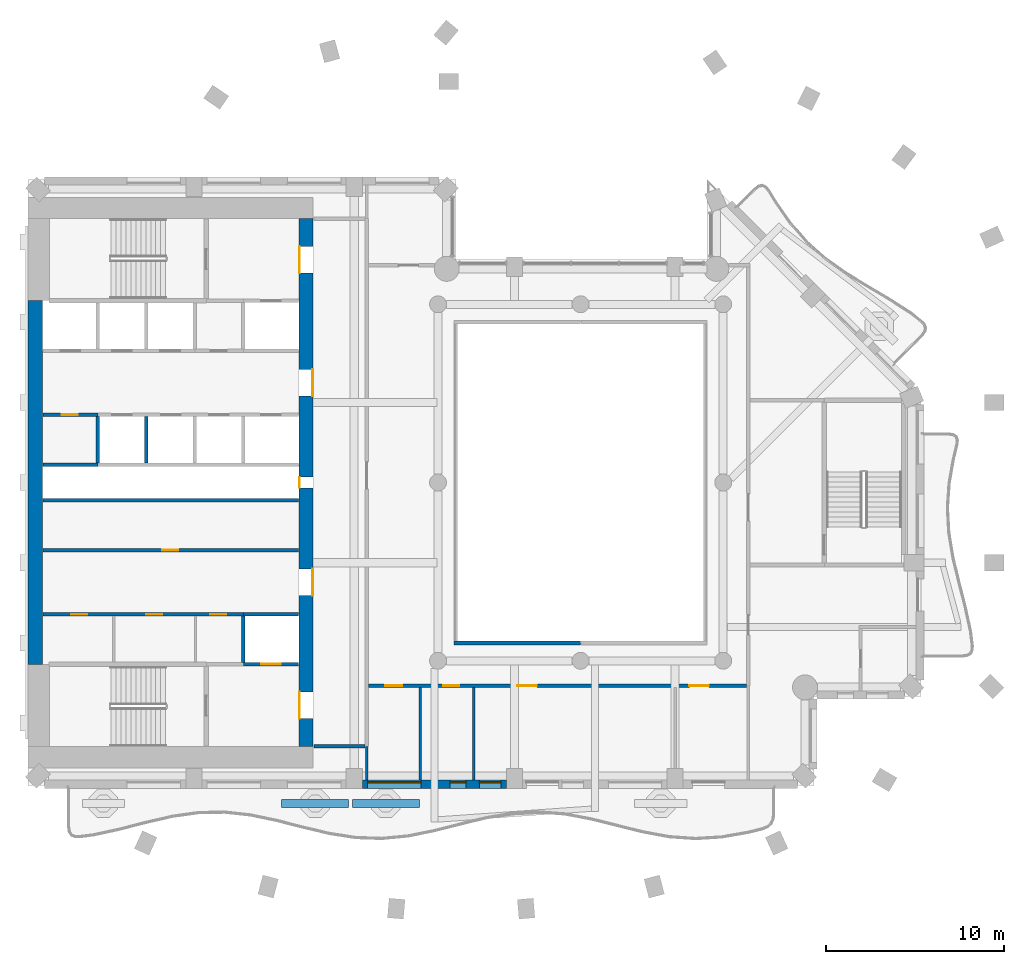
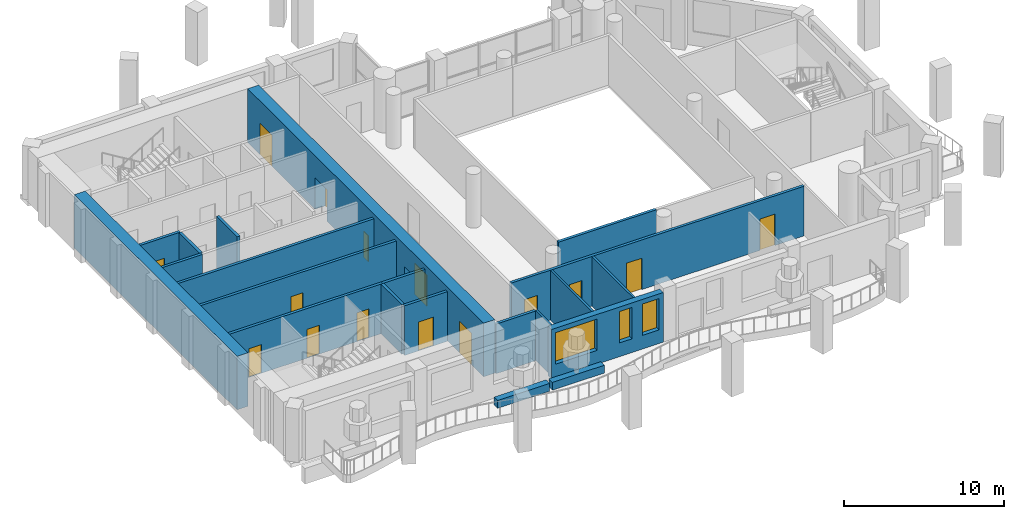
# One storey, part 4 of 14: 21 walls, 15 doors, 3 windows, 18 openings.
"""IFC4 building model written with IfcOpenShell, lengths in metres."""

from ifc_helpers import new_model, si_unit, direction, frame, frame_2d, origin, place, context, subcontext, project, spatial, rectangle, extrude, material, layer, layer_set, type_object, element, fill, save


model = new_model("IFC4")

# Units and contexts
model_context = context("Model", 3, precision=1e-05, world=origin(), true_north=direction((0.0, 1.0)))
body_context = subcontext(model_context, "Body", "Model", "MODEL_VIEW")
ifc_project = project(units=[si_unit("LENGTHUNIT", "METRE"), si_unit("AREAUNIT", "SQUARE_METRE"), si_unit("VOLUMEUNIT", "CUBIC_METRE"), si_unit("PLANEANGLEUNIT", "RADIAN"), si_unit("MASSUNIT", "GRAM", prefix="KILO")], contexts=[model_context])

# Site, building, storey
site_placement = place(None, origin())
site = spatial("IfcSite", under=ifc_project, at=site_placement, CompositionType="ELEMENT")
building_placement = place(site_placement, origin())
building = spatial("IfcBuilding", under=site, at=building_placement, Name="Cypress Arch Tower", CompositionType="ELEMENT")
storey_placement = place(building_placement, frame((0.0, 0.0, 222.0)))
storey = spatial("IfcBuildingStorey", under=building, at=storey_placement, Name="L49", CompositionType="ELEMENT", Elevation=222.0)

# Walls
ifc_material_1 = material(Name="Concrete C40/50, waterproofed", Category="concrete")
ifc_layer_1 = layer(ifc_material_1, 0.449951171875)
ifc_layer_set_1 = layer_set([ifc_layer_1], Name="Balcony planter wall PW450")
wall_type_1 = type_object("IfcWallType", Name="Balcony planter wall PW450", PredefinedType="SOLIDWALL", material=ifc_layer_set_1)
for number, where, z_axis, x_axis, name in (
    (1, (-15.77001953125, -18.0, 0.0), (0.0, 0.0, 1.0), (1.0, 0.0, 0.0), "Balcony planter wall L49-B01.2"),
    (2, (-11.81005859375, -18.0, 0.0), (0.0, 0.0, 1.0), (1.0, 0.0, 0.0), "Balcony planter wall L49-B01.3"),
):
    element("IfcWall", number, at=place(storey_placement, frame(where, z_axis=z_axis, x_axis=x_axis)), inside=storey, type_object=wall_type_1, Name=name, PredefinedType="SOLIDWALL", context=body_context, shape_type="SweptSolid", body=[
        extrude(rectangle(XDim=3.760009765625, YDim=0.449951171875, at=frame_2d((1.8798828125, 0.0))), origin(), (0.0, 0.0, 1.0), 0.60009765625),
    ])

# Wall, openings, windows
ifc_material_2 = material(Name="Brick (red buff blend)", Category="masonry")
ifc_layer_2 = layer(ifc_material_2, 0.449951171875)
ifc_layer_set_2 = layer_set([ifc_layer_2], Name="Brick pier and spandrel wall BW450")
wall_type_2 = type_object("IfcWallType", Name="Brick pier and spandrel wall BW450", PredefinedType="SOLIDWALL", material=ifc_layer_set_2)
wall_1_placement = place(storey_placement, frame((-11.25, -16.925048828125, 0.0), z_axis=(0.0, 0.0, 1.0), x_axis=(1.0, 0.0, 0.0)))
wall_1 = element("IfcWall", 3, at=wall_1_placement, inside=storey, type_object=wall_type_2, Name="Brick wall L49 B01.2", PredefinedType="SOLIDWALL", context=body_context, shape_type="SweptSolid", body=[
    extrude(rectangle(XDim=8.10009765625, YDim=0.449951171875, at=frame_2d((4.050048828125, 0.0))), origin(), (0.0, 0.0, 1.0), 3.800048828125),
])
opening_1_placement = place(wall_1_placement, frame((0.300048828125, 0.0, 1.050048828125)))
opening_1 = element("IfcOpeningElement", 4, at=opening_1_placement, cuts=wall_1, Name="Opening W300OD", PredefinedType="OPENING", context=body_context, shape_type="SweptSolid", body=[
    extrude(rectangle(XDim=3.0, YDim=2.39990234375, at=frame_2d((1.5, 1.199951171875))), frame((0.0, 0.23486328125, 0.0), z_axis=(0.0, -1.0, 0.0), x_axis=(1.0, 0.0, 0.0)), (0.0, 0.0, 1.0), 0.469970703125),
])
opening_2_placement = place(wall_1_placement, frame((4.925048828125, 0.0, 1.050048828125)))
opening_2 = element("IfcOpeningElement", 5, at=opening_2_placement, cuts=wall_1, Name="Opening W090OD", PredefinedType="OPENING", context=body_context, shape_type="SweptSolid", body=[
    extrude(rectangle(XDim=0.89990234375, YDim=2.39990234375, at=frame_2d((0.449951171875, 1.199951171875))), frame((0.0, 0.23486328125, 0.0), z_axis=(0.0, -1.0, 0.0), x_axis=(1.0, 0.0, 0.0)), (0.0, 0.0, 1.0), 0.469970703125),
])
opening_3_placement = place(wall_1_placement, frame((6.574951171875, 0.0, 1.050048828125)))
opening_3 = element("IfcOpeningElement", 6, at=opening_3_placement, cuts=wall_1, Name="Opening W120OD", PredefinedType="OPENING", context=body_context, shape_type="SweptSolid", body=[
    extrude(rectangle(XDim=1.199951171875, YDim=2.39990234375, at=frame_2d((0.60009765625, 1.199951171875))), frame((0.0, 0.23486328125, 0.0), z_axis=(0.0, -1.0, 0.0), x_axis=(1.0, 0.0, 0.0)), (0.0, 0.0, 1.0), 0.469970703125),
])
ifc_material_3 = material(Name="Anodised aluminium, bronze finish, laminated low-emissivity double glazing, large-missile impact rated", Category="aluminium")
window_type_1 = type_object("IfcWindowType", Name="Window Office 1200x2400 debris-rated", PartitioningType="SINGLE_PANEL", PredefinedType="WINDOW", material=ifc_material_3)
window_1_placement = place(opening_3_placement, origin())
window_1 = element("IfcWindow", 7, at=window_1_placement, inside=storey, type_object=window_type_1, Name="Window L49 B01.2.2b", OverallHeight=2.39990234375, OverallWidth=1.199951171875, PartitioningType="SINGLE_PANEL", PredefinedType="WINDOW", context=body_context, shape_type="SweptSolid", body=[
    extrude(rectangle(XDim=1.199951171875, YDim=2.39990234375, at=frame_2d((0.60009765625, 1.199951171875))), frame((0.0, 0.135009765625, 0.0), z_axis=(0.0, -1.0, 0.0), x_axis=(1.0, 0.0, 0.0)), (0.0, 0.0, 1.0), 0.06005859375),
])
fill(opening_3, window_1)
ifc_material_4 = material(Name="Anodised aluminium, bronze finish, laminated low-emissivity double glazing, large-missile impact rated", Category="aluminium")
window_type_2 = type_object("IfcWindowType", Name="Window Office 3000x2400 debris-rated", PartitioningType="SINGLE_PANEL", PredefinedType="WINDOW", material=ifc_material_4)
window_2_placement = place(opening_1_placement, origin())
window_2 = element("IfcWindow", 8, at=window_2_placement, inside=storey, type_object=window_type_2, Name="Window L49 B01.2.1", OverallHeight=2.39990234375, OverallWidth=3.0, PartitioningType="SINGLE_PANEL", PredefinedType="WINDOW", context=body_context, shape_type="SweptSolid", body=[
    extrude(rectangle(XDim=3.0, YDim=2.39990234375, at=frame_2d((1.5, 1.199951171875))), frame((0.0, 0.135009765625, 0.0), z_axis=(0.0, -1.0, 0.0), x_axis=(1.0, 0.0, 0.0)), (0.0, 0.0, 1.0), 0.06005859375),
])
fill(opening_1, window_2)
ifc_material_5 = material(Name="Anodised aluminium, bronze finish, laminated low-emissivity double glazing, large-missile impact rated", Category="aluminium")
window_type_3 = type_object("IfcWindowType", Name="Window Office 900x2400 debris-rated", PartitioningType="SINGLE_PANEL", PredefinedType="WINDOW", material=ifc_material_5)
window_3_placement = place(opening_2_placement, origin())
window_3 = element("IfcWindow", 9, at=window_3_placement, inside=storey, type_object=window_type_3, Name="Window L49 B01.2.2", OverallHeight=2.39990234375, OverallWidth=0.89990234375, PartitioningType="SINGLE_PANEL", PredefinedType="WINDOW", context=body_context, shape_type="SweptSolid", body=[
    extrude(rectangle(XDim=0.89990234375, YDim=2.39990234375, at=frame_2d((0.449951171875, 1.199951171875))), frame((0.0, 0.135009765625, 0.0), z_axis=(0.0, -1.0, 0.0), x_axis=(1.0, 0.0, 0.0)), (0.0, 0.0, 1.0), 0.06005859375),
])
fill(opening_2, window_3)

# Wall, openings, doors
ifc_material_6 = material(Name="Concrete C70/85", Category="concrete")
ifc_layer_3 = layer(ifc_material_6, 0.800048828125)
ifc_layer_set_3 = layer_set([ifc_layer_3], Name="Core wall CW800 C70/85")
wall_type_3 = type_object("IfcWallType", Name="Core wall CW800 C70/85", PredefinedType="SHEAR", material=ifc_layer_set_3)
wall_2_placement = place(storey_placement, frame((-14.39990234375, -14.800048828125, 0.0), z_axis=(0.0, 0.0, 1.0), x_axis=(0.0, 1.0, 0.0)))
wall_2 = element("IfcWall", 10, at=wall_2_placement, inside=storey, type_object=wall_type_3, Name="Core wall", PredefinedType="SHEAR", context=body_context, shape_type="SweptSolid", body=[
    extrude(rectangle(XDim=29.60009765625, YDim=0.800048828125, at=frame_2d((14.800048828125, 0.0))), origin(), (0.0, 0.0, 1.0), 4.10009765625),
])
opening_4_placement = place(wall_2_placement, frame((1.550048828125, 0.0, 0.0)))
opening_4 = element("IfcOpeningElement", 11, at=opening_4_placement, cuts=wall_2, Name="Opening D07", PredefinedType="OPENING", context=body_context, shape_type="SweptSolid", body=[
    extrude(rectangle(XDim=1.5, YDim=2.39990234375, at=frame_2d((0.75, 1.199951171875))), frame((0.0, 0.409912109375, 0.0), z_axis=(0.0, -1.0, 0.0), x_axis=(1.0, 0.0, 0.0)), (0.0, 0.0, 1.0), 0.820068359375),
])
opening_5_placement = place(wall_2_placement, frame((26.550048828125, 0.0, 0.0)))
opening_5 = element("IfcOpeningElement", 12, at=opening_5_placement, cuts=wall_2, Name="Opening D07", PredefinedType="OPENING", context=body_context, shape_type="SweptSolid", body=[
    extrude(rectangle(XDim=1.5, YDim=2.39990234375, at=frame_2d((0.75, 1.199951171875))), frame((0.0, 0.409912109375, 0.0), z_axis=(0.0, -1.0, 0.0), x_axis=(1.0, 0.0, 0.0)), (0.0, 0.0, 1.0), 0.820068359375),
])
opening_6_placement = place(wall_2_placement, frame((8.449951171875, 0.0, 0.0)))
opening_6 = element("IfcOpeningElement", 13, at=opening_6_placement, cuts=wall_2, Name="Opening D07", PredefinedType="OPENING", context=body_context, shape_type="SweptSolid", body=[
    extrude(rectangle(XDim=1.5, YDim=2.39990234375, at=frame_2d((0.75, 1.199951171875))), frame((0.0, 0.409912109375, 0.0), z_axis=(0.0, -1.0, 0.0), x_axis=(1.0, 0.0, 0.0)), (0.0, 0.0, 1.0), 0.820068359375),
])
opening_7_placement = place(wall_2_placement, frame((19.64990234375, 0.0, 0.0)))
opening_7 = element("IfcOpeningElement", 14, at=opening_7_placement, cuts=wall_2, Name="Opening D07", PredefinedType="OPENING", context=body_context, shape_type="SweptSolid", body=[
    extrude(rectangle(XDim=1.5, YDim=2.39990234375, at=frame_2d((0.75, 1.199951171875))), frame((0.0, 0.409912109375, 0.0), z_axis=(0.0, -1.0, 0.0), x_axis=(1.0, 0.0, 0.0)), (0.0, 0.0, 1.0), 0.820068359375),
])
opening_8_placement = place(wall_2_placement, frame((14.5, 0.0, 0.0)))
opening_8 = element("IfcOpeningElement", 15, at=opening_8_placement, cuts=wall_2, Name="Opening D08", PredefinedType="OPENING", context=body_context, shape_type="SweptSolid", body=[
    extrude(rectangle(XDim=0.60009765625, YDim=2.0, at=frame_2d((0.300048828125, 1.0))), frame((0.0, 0.409912109375, 0.0), z_axis=(0.0, -1.0, 0.0), x_axis=(1.0, 0.0, 0.0)), (0.0, 0.0, 1.0), 0.820068359375),
])
ifc_material_7 = material(Name="Steel framed glazed door, fire resisting", Category="steel")
door_type_1 = type_object("IfcDoorType", Name="Lobby door D07 1500x2400", OperationType="DOUBLE_DOOR_SINGLE_SWING", PredefinedType="DOOR", material=ifc_material_7)
door_1_placement = place(opening_4_placement, origin())
door_1 = element("IfcDoor", 16, at=door_1_placement, inside=storey, type_object=door_type_1, Name="Lobby door", OperationType="DOUBLE_DOOR_SINGLE_SWING", OverallHeight=2.39990234375, OverallWidth=1.5, PredefinedType="DOOR", context=body_context, shape_type="SweptSolid", body=[
    extrude(rectangle(XDim=1.5, YDim=2.39990234375, at=frame_2d((0.75, 1.199951171875))), frame((0.0, 0.39501953125, 0.0), z_axis=(0.0, -1.0, 0.0), x_axis=(1.0, 0.0, 0.0)), (0.0, 0.0, 1.0), 0.050048828125),
])
fill(opening_4, door_1)
door_2_placement = place(opening_5_placement, origin())
door_2 = element("IfcDoor", 17, at=door_2_placement, inside=storey, type_object=door_type_1, Name="Lobby door", OperationType="DOUBLE_DOOR_SINGLE_SWING", OverallHeight=2.39990234375, OverallWidth=1.5, PredefinedType="DOOR", context=body_context, shape_type="SweptSolid", body=[
    extrude(rectangle(XDim=1.5, YDim=2.39990234375, at=frame_2d((0.75, 1.199951171875))), frame((0.0, 0.39501953125, 0.0), z_axis=(0.0, -1.0, 0.0), x_axis=(1.0, 0.0, 0.0)), (0.0, 0.0, 1.0), 0.050048828125),
])
fill(opening_5, door_2)
door_3_placement = place(opening_6_placement, origin())
door_3 = element("IfcDoor", 18, at=door_3_placement, inside=storey, type_object=door_type_1, Name="Lobby door", OperationType="DOUBLE_DOOR_SINGLE_SWING", OverallHeight=2.39990234375, OverallWidth=1.5, PredefinedType="DOOR", context=body_context, shape_type="SweptSolid", body=[
    extrude(rectangle(XDim=1.5, YDim=2.39990234375, at=frame_2d((0.75, 1.199951171875))), frame((0.0, -0.34521484375, 0.0), z_axis=(0.0, -1.0, 0.0), x_axis=(1.0, 0.0, 0.0)), (0.0, 0.0, 1.0), 0.050048828125),
])
fill(opening_6, door_3)
door_4_placement = place(opening_7_placement, origin())
door_4 = element("IfcDoor", 19, at=door_4_placement, inside=storey, type_object=door_type_1, Name="Lobby door", OperationType="DOUBLE_DOOR_SINGLE_SWING", OverallHeight=2.39990234375, OverallWidth=1.5, PredefinedType="DOOR", context=body_context, shape_type="SweptSolid", body=[
    extrude(rectangle(XDim=1.5, YDim=2.39990234375, at=frame_2d((0.75, 1.199951171875))), frame((0.0, -0.34521484375, 0.0), z_axis=(0.0, -1.0, 0.0), x_axis=(1.0, 0.0, 0.0)), (0.0, 0.0, 1.0), 0.050048828125),
])
fill(opening_7, door_4)
ifc_material_8 = material(Name="Steel access door, fire resisting", Category="steel")
door_type_2 = type_object("IfcDoorType", Name="Riser access door D08 600x2000", OperationType="SINGLE_SWING_LEFT", PredefinedType="DOOR", material=ifc_material_8)
door_5_placement = place(opening_8_placement, origin())
door_5 = element("IfcDoor", 20, at=door_5_placement, inside=storey, type_object=door_type_2, Name="Riser access door", OperationType="SINGLE_SWING_RIGHT", OverallHeight=2.0, OverallWidth=0.60009765625, PredefinedType="DOOR", context=body_context, shape_type="SweptSolid", body=[
    extrude(rectangle(XDim=0.60009765625, YDim=2.0, at=frame_2d((0.300048828125, 1.0))), frame((0.0, 0.39501953125, 0.0), z_axis=(0.0, -1.0, 0.0), x_axis=(1.0, 0.0, 0.0)), (0.0, 0.0, 1.0), 0.050048828125),
])
fill(opening_8, door_5)

# Wall
wall_3_placement = place(storey_placement, frame((-29.60009765625, -10.199951171875, 0.0), z_axis=(0.0, 0.0, 1.0), x_axis=(0.0, 1.0, 0.0)))
element("IfcWall", 21, at=wall_3_placement, inside=storey, type_object=wall_type_3, Name="Core wall", PredefinedType="SHEAR", context=body_context, shape_type="SweptSolid", body=[
    extrude(rectangle(XDim=20.39990234375, YDim=0.800048828125, at=frame_2d((10.199951171875, 0.0))), origin(), (0.0, 0.0, 1.0), 4.10009765625),
])

# Wall, openings, doors
ifc_material_9 = material(Name="Concrete blockwork, plastered, rated", Category="masonry")
ifc_layer_4 = layer(ifc_material_9, 0.199951171875)
ifc_layer_set_4 = layer_set([ifc_layer_4], Name="Corridor wall FW200")
wall_type_4 = type_object("IfcWallType", Name="Corridor wall FW200", PredefinedType="PARTITIONING", material=ifc_layer_set_4)
wall_4_placement = place(storey_placement, frame((-29.169921875, -7.39990234375, 0.0), z_axis=(0.0, 0.0, 1.0), x_axis=(1.0, 0.0, 0.0)))
wall_4 = element("IfcWall", 22, at=wall_4_placement, inside=storey, type_object=wall_type_4, Name="Corridor wall", PredefinedType="PARTITIONING", context=body_context, shape_type="SweptSolid", body=[
    extrude(rectangle(XDim=11.27001953125, YDim=0.199951171875, at=frame_2d((5.635009765625, 0.0))), origin(), (0.0, 0.0, 1.0), 3.800048828125),
])
opening_9_placement = place(wall_4_placement, frame((1.60009765625, 0.0, 0.0)))
opening_9 = element("IfcOpeningElement", 23, at=opening_9_placement, cuts=wall_4, Name="Opening D05", PredefinedType="OPENING", context=body_context, shape_type="SweptSolid", body=[
    extrude(rectangle(XDim=0.89990234375, YDim=2.199951171875, at=frame_2d((0.449951171875, 1.10009765625))), frame((0.0, 0.10986328125, 0.0), z_axis=(0.0, -1.0, 0.0), x_axis=(1.0, 0.0, 0.0)), (0.0, 0.0, 1.0), 0.219970703125),
])
opening_10_placement = place(wall_4_placement, frame((5.800048828125, 0.0, 0.0)))
opening_10 = element("IfcOpeningElement", 24, at=opening_10_placement, cuts=wall_4, Name="Opening D05", PredefinedType="OPENING", context=body_context, shape_type="SweptSolid", body=[
    extrude(rectangle(XDim=0.89990234375, YDim=2.199951171875, at=frame_2d((0.449951171875, 1.10009765625))), frame((0.0, 0.10986328125, 0.0), z_axis=(0.0, -1.0, 0.0), x_axis=(1.0, 0.0, 0.0)), (0.0, 0.0, 1.0), 0.219970703125),
])
opening_11_placement = place(wall_4_placement, frame((9.39990234375, 0.0, 0.0)))
opening_11 = element("IfcOpeningElement", 25, at=opening_11_placement, cuts=wall_4, Name="Opening D05", PredefinedType="OPENING", context=body_context, shape_type="SweptSolid", body=[
    extrude(rectangle(XDim=0.89990234375, YDim=2.199951171875, at=frame_2d((0.449951171875, 1.10009765625))), frame((0.0, 0.10986328125, 0.0), z_axis=(0.0, -1.0, 0.0), x_axis=(1.0, 0.0, 0.0)), (0.0, 0.0, 1.0), 0.219970703125),
])
ifc_material_10 = material(Name="Timber flush door", Category="wood")
door_type_3 = type_object("IfcDoorType", Name="Service door D05 900x2200", OperationType="SINGLE_SWING_LEFT", PredefinedType="DOOR", material=ifc_material_10)
door_6_placement = place(opening_9_placement, origin())
door_6 = element("IfcDoor", 26, at=door_6_placement, inside=storey, type_object=door_type_3, Name="Service door", OperationType="SINGLE_SWING_LEFT", OverallHeight=2.199951171875, OverallWidth=0.89990234375, PredefinedType="DOOR", context=body_context, shape_type="SweptSolid", body=[
    extrude(rectangle(XDim=0.89990234375, YDim=2.199951171875, at=frame_2d((0.449951171875, 1.10009765625))), frame((0.0, 0.02490234375, 0.0), z_axis=(0.0, -1.0, 0.0), x_axis=(1.0, 0.0, 0.0)), (0.0, 0.0, 1.0), 0.050048828125),
])
fill(opening_9, door_6)
door_7_placement = place(opening_10_placement, origin())
door_7 = element("IfcDoor", 27, at=door_7_placement, inside=storey, type_object=door_type_3, Name="Service door", OperationType="SINGLE_SWING_RIGHT", OverallHeight=2.199951171875, OverallWidth=0.89990234375, PredefinedType="DOOR", context=body_context, shape_type="SweptSolid", body=[
    extrude(rectangle(XDim=0.89990234375, YDim=2.199951171875, at=frame_2d((0.449951171875, 1.10009765625))), frame((0.0, 0.02490234375, 0.0), z_axis=(0.0, -1.0, 0.0), x_axis=(1.0, 0.0, 0.0)), (0.0, 0.0, 1.0), 0.050048828125),
])
fill(opening_10, door_7)
door_8_placement = place(opening_11_placement, origin())
door_8 = element("IfcDoor", 28, at=door_8_placement, inside=storey, type_object=door_type_3, Name="Service door", OperationType="SINGLE_SWING_RIGHT", OverallHeight=2.199951171875, OverallWidth=0.89990234375, PredefinedType="DOOR", context=body_context, shape_type="SweptSolid", body=[
    extrude(rectangle(XDim=0.89990234375, YDim=2.199951171875, at=frame_2d((0.449951171875, 1.10009765625))), frame((0.0, 0.02490234375, 0.0), z_axis=(0.0, -1.0, 0.0), x_axis=(1.0, 0.0, 0.0)), (0.0, 0.0, 1.0), 0.050048828125),
])
fill(opening_11, door_8)

# Wall, opening, door
wall_5_placement = place(storey_placement, frame((-29.169921875, -3.800048828125, 0.0), z_axis=(0.0, 0.0, 1.0), x_axis=(1.0, 0.0, 0.0)))
wall_5 = element("IfcWall", 29, at=wall_5_placement, inside=storey, type_object=wall_type_4, Name="Corridor wall", PredefinedType="PARTITIONING", context=body_context, shape_type="SweptSolid", body=[
    extrude(rectangle(XDim=14.33984375, YDim=0.199951171875, at=frame_2d((7.169921875, 0.0))), origin(), (0.0, 0.0, 1.0), 3.800048828125),
])
opening_12_placement = place(wall_5_placement, frame((6.699951171875, 0.0, 0.0)))
opening_12 = element("IfcOpeningElement", 30, at=opening_12_placement, cuts=wall_5, Name="Opening D05", PredefinedType="OPENING", context=body_context, shape_type="SweptSolid", body=[
    extrude(rectangle(XDim=0.89990234375, YDim=2.199951171875, at=frame_2d((0.449951171875, 1.10009765625))), frame((0.0, 0.10986328125, 0.0), z_axis=(0.0, -1.0, 0.0), x_axis=(1.0, 0.0, 0.0)), (0.0, 0.0, 1.0), 0.219970703125),
])
door_9_placement = place(opening_12_placement, origin())
door_9 = element("IfcDoor", 31, at=door_9_placement, inside=storey, type_object=door_type_3, Name="Service door", OperationType="SINGLE_SWING_LEFT", OverallHeight=2.199951171875, OverallWidth=0.89990234375, PredefinedType="DOOR", context=body_context, shape_type="SweptSolid", body=[
    extrude(rectangle(XDim=0.89990234375, YDim=2.199951171875, at=frame_2d((0.449951171875, 1.10009765625))), frame((0.0, 0.02490234375, 0.0), z_axis=(0.0, -1.0, 0.0), x_axis=(1.0, 0.0, 0.0)), (0.0, 0.0, 1.0), 0.050048828125),
])
fill(opening_12, door_9)

wall_6_placement = place(storey_placement, frame((-29.169921875, 3.800048828125, 0.0), z_axis=(0.0, 0.0, 1.0), x_axis=(1.0, 0.0, 0.0)))
wall_6 = element("IfcWall", 32, at=wall_6_placement, inside=storey, type_object=wall_type_4, Name="Corridor wall", PredefinedType="PARTITIONING", context=body_context, shape_type="SweptSolid", body=[
    extrude(rectangle(XDim=3.08984375, YDim=0.199951171875, at=frame_2d((1.544921875, 0.0))), origin(), (0.0, 0.0, 1.0), 3.800048828125),
])
opening_13_placement = place(wall_6_placement, frame((1.050048828125, 0.0, 0.0)))
opening_13 = element("IfcOpeningElement", 33, at=opening_13_placement, cuts=wall_6, Name="Opening D05", PredefinedType="OPENING", context=body_context, shape_type="SweptSolid", body=[
    extrude(rectangle(XDim=0.89990234375, YDim=2.199951171875, at=frame_2d((0.449951171875, 1.10009765625))), frame((0.0, 0.10986328125, 0.0), z_axis=(0.0, -1.0, 0.0), x_axis=(1.0, 0.0, 0.0)), (0.0, 0.0, 1.0), 0.219970703125),
])
door_10_placement = place(opening_13_placement, origin())
door_10 = element("IfcDoor", 34, at=door_10_placement, inside=storey, type_object=door_type_3, Name="Service door", OperationType="SINGLE_SWING_LEFT", OverallHeight=2.199951171875, OverallWidth=0.89990234375, PredefinedType="DOOR", context=body_context, shape_type="SweptSolid", body=[
    extrude(rectangle(XDim=0.89990234375, YDim=2.199951171875, at=frame_2d((0.449951171875, 1.10009765625))), frame((0.0, 0.02490234375, 0.0), z_axis=(0.0, -1.0, 0.0), x_axis=(1.0, 0.0, 0.0)), (0.0, 0.0, 1.0), 0.050048828125),
])
fill(opening_13, door_10)

# Wall
wall_7_placement = place(storey_placement, frame((-13.969970703125, -14.800048828125, 0.0), z_axis=(0.0, 0.0, 1.0), x_axis=(1.0, 0.0, 0.0)))
element("IfcWall", 35, at=wall_7_placement, inside=storey, type_object=wall_type_4, Name="Corridor wall", PredefinedType="PARTITIONING", context=body_context, shape_type="SweptSolid", body=[
    extrude(rectangle(XDim=2.869873046875, YDim=0.199951171875, at=frame_2d((1.43505859375, 0.0))), origin(), (0.0, 0.0, 1.0), 3.800048828125),
])

# Wall, openings, doors
wall_8_placement = place(storey_placement, frame((-10.89990234375, -11.39990234375, 0.0), z_axis=(0.0, 0.0, 1.0), x_axis=(1.0, 0.0, 0.0)))
wall_8 = element("IfcWall", 36, at=wall_8_placement, inside=storey, type_object=wall_type_4, Name="Corridor wall", PredefinedType="PARTITIONING", context=body_context, shape_type="SweptSolid", body=[
    extrude(rectangle(XDim=21.199951171875, YDim=0.199951171875, at=frame_2d((10.60009765625, 0.0))), origin(), (0.0, 0.0, 1.0), 3.800048828125),
])
opening_14_placement = place(wall_8_placement, frame((0.949951171875, 0.0, 0.0)))
opening_14 = element("IfcOpeningElement", 37, at=opening_14_placement, cuts=wall_8, Name="Opening D02", PredefinedType="OPENING", context=body_context, shape_type="SweptSolid", body=[
    extrude(rectangle(XDim=0.949951171875, YDim=2.199951171875, at=frame_2d((0.47509765625, 1.10009765625))), frame((0.0, 0.10986328125, 0.0), z_axis=(0.0, -1.0, 0.0), x_axis=(1.0, 0.0, 0.0)), (0.0, 0.0, 1.0), 0.219970703125),
])
opening_15_placement = place(wall_8_placement, frame((4.199951171875, 0.0, 0.0)))
opening_15 = element("IfcOpeningElement", 38, at=opening_15_placement, cuts=wall_8, Name="Opening D05", PredefinedType="OPENING", context=body_context, shape_type="SweptSolid", body=[
    extrude(rectangle(XDim=0.89990234375, YDim=2.199951171875, at=frame_2d((0.449951171875, 1.10009765625))), frame((0.0, 0.10986328125, 0.0), z_axis=(0.0, -1.0, 0.0), x_axis=(1.0, 0.0, 0.0)), (0.0, 0.0, 1.0), 0.219970703125),
])
opening_16_placement = place(wall_8_placement, frame((8.35009765625, 0.0, 0.0)))
opening_16 = element("IfcOpeningElement", 39, at=opening_16_placement, cuts=wall_8, Name="Opening D01", PredefinedType="OPENING", context=body_context, shape_type="SweptSolid", body=[
    extrude(rectangle(XDim=1.10009765625, YDim=2.39990234375, at=frame_2d((0.550048828125, 1.199951171875))), frame((0.0, 0.10986328125, 0.0), z_axis=(0.0, -1.0, 0.0), x_axis=(1.0, 0.0, 0.0)), (0.0, 0.0, 1.0), 0.219970703125),
])
opening_17_placement = place(wall_8_placement, frame((18.0, 0.0, 0.0)))
opening_17 = element("IfcOpeningElement", 40, at=opening_17_placement, cuts=wall_8, Name="Opening D01", PredefinedType="OPENING", context=body_context, shape_type="SweptSolid", body=[
    extrude(rectangle(XDim=1.10009765625, YDim=2.39990234375, at=frame_2d((0.550048828125, 1.199951171875))), frame((0.0, 0.10986328125, 0.0), z_axis=(0.0, -1.0, 0.0), x_axis=(1.0, 0.0, 0.0)), (0.0, 0.0, 1.0), 0.219970703125),
])
ifc_material_11 = material(Name="Timber flush door, fire resisting", Category="wood")
door_type_4 = type_object("IfcDoorType", Name="Room door D02 950x2200", OperationType="SINGLE_SWING_LEFT", PredefinedType="DOOR", material=ifc_material_11)
door_11_placement = place(opening_14_placement, origin())
door_11 = element("IfcDoor", 41, at=door_11_placement, inside=storey, type_object=door_type_4, Name="Room door", OperationType="SINGLE_SWING_LEFT", OverallHeight=2.199951171875, OverallWidth=0.949951171875, PredefinedType="DOOR", context=body_context, shape_type="SweptSolid", body=[
    extrude(rectangle(XDim=0.949951171875, YDim=2.199951171875, at=frame_2d((0.47509765625, 1.10009765625))), frame((0.0, 0.02490234375, 0.0), z_axis=(0.0, -1.0, 0.0), x_axis=(1.0, 0.0, 0.0)), (0.0, 0.0, 1.0), 0.050048828125),
])
fill(opening_14, door_11)
door_12_placement = place(opening_15_placement, origin())
door_12 = element("IfcDoor", 42, at=door_12_placement, inside=storey, type_object=door_type_3, Name="Service door", OperationType="SINGLE_SWING_LEFT", OverallHeight=2.199951171875, OverallWidth=0.89990234375, PredefinedType="DOOR", context=body_context, shape_type="SweptSolid", body=[
    extrude(rectangle(XDim=0.89990234375, YDim=2.199951171875, at=frame_2d((0.449951171875, 1.10009765625))), frame((0.0, 0.02490234375, 0.0), z_axis=(0.0, -1.0, 0.0), x_axis=(1.0, 0.0, 0.0)), (0.0, 0.0, 1.0), 0.050048828125),
])
fill(opening_15, door_12)
ifc_material_12 = material(Name="Timber flush door, fire resisting, self-closing", Category="wood")
door_type_5 = type_object("IfcDoorType", Name="Unit entrance door D01 1100x2400", OperationType="SINGLE_SWING_LEFT", PredefinedType="DOOR", material=ifc_material_12)
door_13_placement = place(opening_16_placement, origin())
door_13 = element("IfcDoor", 43, at=door_13_placement, inside=storey, type_object=door_type_5, Name="Unit entrance door", OperationType="SINGLE_SWING_RIGHT", OverallHeight=2.39990234375, OverallWidth=1.10009765625, PredefinedType="DOOR", context=body_context, shape_type="SweptSolid", body=[
    extrude(rectangle(XDim=1.10009765625, YDim=2.39990234375, at=frame_2d((0.550048828125, 1.199951171875))), frame((0.0, 0.02490234375, 0.0), z_axis=(0.0, -1.0, 0.0), x_axis=(1.0, 0.0, 0.0)), (0.0, 0.0, 1.0), 0.050048828125),
])
fill(opening_16, door_13)
door_14_placement = place(opening_17_placement, origin())
door_14 = element("IfcDoor", 44, at=door_14_placement, inside=storey, type_object=door_type_5, Name="Unit entrance door", OperationType="SINGLE_SWING_RIGHT", OverallHeight=2.39990234375, OverallWidth=1.10009765625, PredefinedType="DOOR", context=body_context, shape_type="SweptSolid", body=[
    extrude(rectangle(XDim=1.10009765625, YDim=2.39990234375, at=frame_2d((0.550048828125, 1.199951171875))), frame((0.0, 0.02490234375, 0.0), z_axis=(0.0, -1.0, 0.0), x_axis=(1.0, 0.0, 0.0)), (0.0, 0.0, 1.0), 0.050048828125),
])
fill(opening_17, door_14)

# Walls
wall_9_placement = place(storey_placement, frame((-6.10009765625, -9.0, 0.0), z_axis=(0.0, 0.0, 1.0), x_axis=(1.0, 0.0, 0.0)))
element("IfcWall", 45, at=wall_9_placement, inside=storey, type_object=wall_type_4, Name="Corridor wall", PredefinedType="PARTITIONING", context=body_context, shape_type="SweptSolid", body=[
    extrude(rectangle(XDim=7.080078125, YDim=0.199951171875, at=frame_2d((3.5400390625, 0.0))), origin(), (0.0, 0.0, 1.0), 3.800048828125),
])
ifc_material_13 = material(Name="Blockwork, plastered both sides", Category="masonry")
ifc_layer_5 = layer(ifc_material_13, 0.14990234375)
ifc_layer_set_5 = layer_set([ifc_layer_5], Name="Partition PW150")
wall_type_5 = type_object("IfcWallType", Name="Partition PW150", PredefinedType="PARTITIONING", material=ifc_layer_set_5)
wall_10_placement = place(storey_placement, frame((-11.0, -16.699951171875, 0.0), z_axis=(0.0, 0.0, 1.0), x_axis=(0.0, 1.0, 0.0)))
element("IfcWall", 46, at=wall_10_placement, inside=storey, type_object=wall_type_5, Name="Partition", PredefinedType="PARTITIONING", context=body_context, shape_type="SweptSolid", body=[
    extrude(rectangle(XDim=1.8798828125, YDim=0.14990234375, at=frame_2d((0.93994140625, 0.0))), origin(), (0.0, 0.0, 1.0), 3.800048828125),
])
for number, where, z_axis, x_axis, name in (
    (47, (-8.0, -16.699951171875, 0.0), (0.0, 0.0, 1.0), (0.0, 1.0, 0.0), "Partition"),
    (48, (-5.0, -16.699951171875, 0.0), (0.0, 0.0, 1.0), (0.0, 1.0, 0.0), "Partition"),
):
    element("IfcWall", number, at=place(storey_placement, frame(where, z_axis=z_axis, x_axis=x_axis)), inside=storey, type_object=wall_type_5, Name=name, PredefinedType="PARTITIONING", context=body_context, shape_type="SweptSolid", body=[
        extrude(rectangle(XDim=5.199951171875, YDim=0.14990234375, at=frame_2d((2.60009765625, 0.0))), origin(), (0.0, 0.0, 1.0), 3.800048828125),
    ])
ifc_material_14 = material(Name="Reinforced blockwork, plastered, rated", Category="masonry")
ifc_layer_6 = layer(ifc_material_14, 0.199951171875)
ifc_layer_set_6 = layer_set([ifc_layer_6], Name="Plant and riser wall PL200")
wall_type_6 = type_object("IfcWallType", Name="Plant and riser wall PL200", PredefinedType="PARTITIONING", material=ifc_layer_set_6)
wall_11_placement = place(storey_placement, frame((-29.169921875, -1.0, 0.0), z_axis=(0.0, 0.0, 1.0), x_axis=(1.0, 0.0, 0.0)))
element("IfcWall", 49, at=wall_11_placement, inside=storey, type_object=wall_type_6, Name="Plant and riser wall", PredefinedType="PARTITIONING", context=body_context, shape_type="SweptSolid", body=[
    extrude(rectangle(XDim=14.33984375, YDim=0.199951171875, at=frame_2d((7.169921875, 0.0))), origin(), (0.0, 0.0, 1.0), 3.800048828125),
])
wall_12_placement = place(storey_placement, frame((-29.169921875, 1.0, 0.0), z_axis=(0.0, 0.0, 1.0), x_axis=(1.0, 0.0, 0.0)))
element("IfcWall", 50, at=wall_12_placement, inside=storey, type_object=wall_type_6, Name="Plant and riser wall", PredefinedType="PARTITIONING", context=body_context, shape_type="SweptSolid", body=[
    extrude(rectangle(XDim=3.08984375, YDim=0.199951171875, at=frame_2d((1.544921875, 0.0))), origin(), (0.0, 0.0, 1.0), 3.800048828125),
])
ifc_material_15 = material(Name="Concrete C50/60", Category="concrete")
ifc_layer_7 = layer(ifc_material_15, 0.199951171875)
ifc_layer_set_7 = layer_set([ifc_layer_7], Name="Shaft wall SH200")
wall_type_7 = type_object("IfcWallType", Name="Shaft wall SH200", PredefinedType="SHEAR", material=ifc_layer_set_7)
wall_13_placement = place(storey_placement, frame((-26.080078125, 1.10009765625, 0.0), z_axis=(0.0, 0.0, 1.0), x_axis=(0.0, 1.0, 0.0)))
element("IfcWall", 51, at=wall_13_placement, inside=storey, type_object=wall_type_7, Name="Shaft wall", PredefinedType="SHEAR", context=body_context, shape_type="SweptSolid", body=[
    extrude(rectangle(XDim=2.599853515625, YDim=0.199951171875, at=frame_2d((1.2998046875, 0.0))), origin(), (0.0, 0.0, 1.0), 3.800048828125),
])
wall_14_placement = place(storey_placement, frame((-23.360107421875, 1.10009765625, 0.0), z_axis=(0.0, 0.0, 1.0), x_axis=(0.0, 1.0, 0.0)))
element("IfcWall", 52, at=wall_14_placement, inside=storey, type_object=wall_type_7, Name="Shaft wall", PredefinedType="SHEAR", context=body_context, shape_type="SweptSolid", body=[
    extrude(rectangle(XDim=2.599853515625, YDim=0.199951171875, at=frame_2d((1.2998046875, 0.0))), origin(), (0.0, 0.0, 1.0), 4.10009765625),
])
wall_15_placement = place(storey_placement, frame((-17.919921875, -10.10009765625, 0.0), z_axis=(0.0, 0.0, 1.0), x_axis=(0.0, 1.0, 0.0)))
element("IfcWall", 53, at=wall_15_placement, inside=storey, type_object=wall_type_7, Name="Shaft wall", PredefinedType="SHEAR", context=body_context, shape_type="SweptSolid", body=[
    extrude(rectangle(XDim=2.60009765625, YDim=0.199951171875, at=frame_2d((1.300048828125, 0.0))), origin(), (0.0, 0.0, 1.0), 3.800048828125),
])

# Wall, opening, door
wall_16_placement = place(storey_placement, frame((-17.919921875, -10.199951171875, 0.0), z_axis=(0.0, 0.0, 1.0), x_axis=(1.0, 0.0, 0.0)))
wall_16 = element("IfcWall", 54, at=wall_16_placement, inside=storey, type_object=wall_type_7, Name="Shaft wall", PredefinedType="SHEAR", context=body_context, shape_type="SweptSolid", body=[
    extrude(rectangle(XDim=3.08984375, YDim=0.199951171875, at=frame_2d((1.544921875, 0.0))), origin(), (0.0, 0.0, 1.0), 3.800048828125),
])
opening_18_placement = place(wall_16_placement, frame((1.0, 0.0, 0.0)))
opening_18 = element("IfcOpeningElement", 55, at=opening_18_placement, cuts=wall_16, Name="Opening LD-FL1", PredefinedType="OPENING", context=body_context, shape_type="SweptSolid", body=[
    extrude(rectangle(XDim=1.10009765625, YDim=2.199951171875, at=frame_2d((0.550048828125, 1.10009765625))), frame((0.0, 0.10986328125, 0.0), z_axis=(0.0, -1.0, 0.0), x_axis=(1.0, 0.0, 0.0)), (0.0, 0.0, 1.0), 0.219970703125),
])
ifc_material_16 = material(Name="Stainless steel centre-opening landing door, rated", Category="steel")
door_type_6 = type_object("IfcDoorType", Name="Lift landing door LD 1100x2200", OperationType="DOUBLE_DOOR_SLIDING", PredefinedType="DOOR", material=ifc_material_16)
door_15_placement = place(opening_18_placement, origin())
door_15 = element("IfcDoor", 56, at=door_15_placement, inside=storey, type_object=door_type_6, Name="Lift landing doors FL1", OperationType="DOUBLE_DOOR_SLIDING", OverallHeight=2.199951171875, OverallWidth=1.10009765625, PredefinedType="DOOR", context=body_context, shape_type="SweptSolid", body=[
    extrude(rectangle(XDim=1.10009765625, YDim=2.199951171875, at=frame_2d((0.550048828125, 1.10009765625))), frame((0.0, 0.02490234375, 0.0), z_axis=(0.0, -1.0, 0.0), x_axis=(1.0, 0.0, 0.0)), (0.0, 0.0, 1.0), 0.050048828125),
])
fill(opening_18, door_15)

# Wall
wall_17_placement = place(storey_placement, frame((-17.89990234375, -7.39990234375, 0.0), z_axis=(0.0, 0.0, 1.0), x_axis=(1.0, 0.0, 0.0)))
element("IfcWall", 57, at=wall_17_placement, inside=storey, type_object=wall_type_7, Name="Shaft wall", PredefinedType="SHEAR", context=body_context, shape_type="SweptSolid", body=[
    extrude(rectangle(XDim=3.06982421875, YDim=0.199951171875, at=frame_2d((1.534912109375, 0.0))), origin(), (0.0, 0.0, 1.0), 3.800048828125),
])

save(model, "model.ifc")
